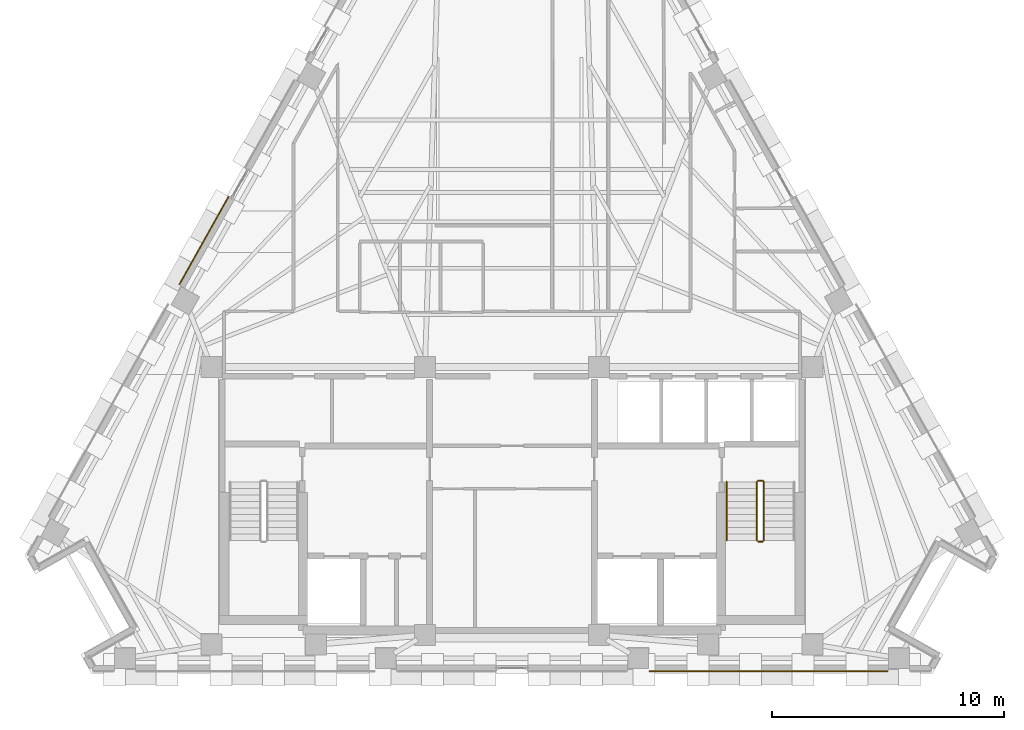
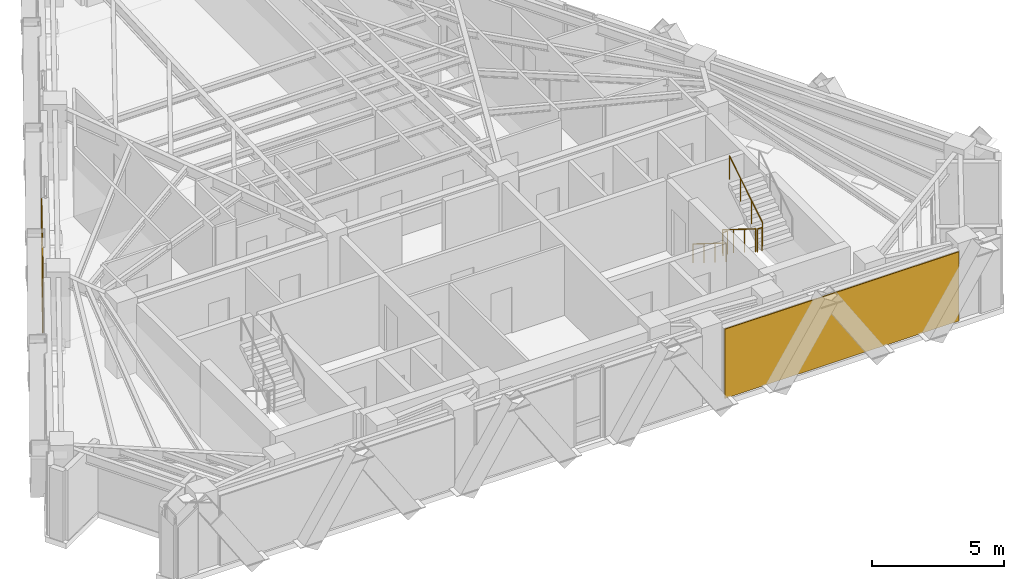
# One storey, part 11 of 13: 5 railings, 2 coverings.
"""IFC4 building model written with IfcOpenShell, lengths in metres."""

from ifc_helpers import new_model, si_unit, direction, frame, origin, origin_2d, place, context, subcontext, project, spatial, polyline, circle, outline, extrude, material, layer, layer_set, type_object, element, save


model = new_model("IFC4")

# Units and contexts
model_context = context("Model", 3, precision=1e-05, world=origin(), true_north=direction((0.0, 1.0)))
body_context = subcontext(model_context, "Body", "Model", "MODEL_VIEW")
ifc_project = project(units=[si_unit("LENGTHUNIT", "METRE"), si_unit("AREAUNIT", "SQUARE_METRE"), si_unit("VOLUMEUNIT", "CUBIC_METRE"), si_unit("PLANEANGLEUNIT", "RADIAN"), si_unit("MASSUNIT", "GRAM", prefix="KILO")], contexts=[model_context])

# Site, building, storey
site_placement = place(None, origin())
site = spatial("IfcSite", under=ifc_project, at=site_placement, CompositionType="ELEMENT")
building_placement = place(site_placement, origin())
building = spatial("IfcBuilding", under=site, at=building_placement, Name="Quenlor Broadcast Tower", CompositionType="ELEMENT")
storey_placement = place(building_placement, frame((0.0, 0.0, 207.89990234375)))
storey = spatial("IfcBuildingStorey", under=building, at=storey_placement, Name="L57", CompositionType="ELEMENT", Elevation=207.89990234375)

# Coverings
ifc_material_1 = material(Name="Architectural Terracotta Ceramic", Category="masonry")
ifc_layer = layer(ifc_material_1, 0.044921875)
ifc_layer_set = layer_set([ifc_layer], Name="Fluted Terracotta Rainscreen Cladding Panel")
covering_type = type_object("IfcCoveringType", Name="Fluted Terracotta Rainscreen Cladding Panel", PredefinedType="CLADDING", material=ifc_layer_set)
covering_1_placement = place(storey_placement, frame((0.0, 0.0, 0.02001953125)))
element("IfcCovering", 1, at=covering_1_placement, inside=storey, type_object=covering_type, Name="L57 Terracotta Rainscreen Cladding L57-EW-SA", PredefinedType="CLADDING", context=body_context, shape_type="SweptSolid", body=[
    extrude(outline(polyline([(16.19091796875, -17.89697265625), (5.9228515625, -17.89697265625), (5.9228515625, -17.94189453125), (16.19091796875, -17.94189453125), (16.19091796875, -17.89697265625)])), origin(), (0.0, 0.0, 1.0), 3.2099609375),
])
covering_2_placement = place(storey_placement, frame((0.0, 0.0, 0.02001953125)))
element("IfcCovering", 2, at=covering_2_placement, inside=storey, type_object=covering_type, Name="L57 Terracotta Rainscreen Cladding L57-NW-SP1", PredefinedType="CLADDING", context=body_context, shape_type="SweptSolid", body=[
    extrude(outline(polyline([(-14.30908203125, -1.248291015625), (-12.187255859375, 2.523681640625), (-12.2265625, 2.5458984375), (-14.34814453125, -1.226318359375), (-14.30908203125, -1.248291015625)])), origin(), (0.0, 0.0, 1.0), 3.2099609375),
])

# Railings
ifc_material_2 = material(Name="Anodised Aluminium", Category="aluminium")
railing_type_1 = type_object("IfcRailingType", Name="Stainless Aluminium Wall Handrail 900", PredefinedType="HANDRAIL", material=ifc_material_2)
railing_1_placement = place(storey_placement, frame((9.25, -9.75, 0.175048828125)))
element("IfcRailing", 3, at=railing_1_placement, inside=storey, type_object=railing_type_1, Name="L57 ST-2 stair handrail 1", PredefinedType="HANDRAIL", context=body_context, shape_type="SweptSolid", body=[
    extrude(circle(Radius=0.02392578125, at=origin_2d()), frame((0.0, 0.0, 0.8759765625), z_axis=(0.0, -0.848007534815, 0.529984170421), x_axis=(1.0, 0.0, 0.0)), (0.0, 0.0, 1.0), 2.9716796875),
    extrude(circle(Radius=0.02099609375, at=origin_2d()), origin(), (0.0, 0.0, 1.0), 0.851806640625),
    extrude(circle(Radius=0.02099609375, at=origin_2d()), frame((0.0, -0.840087890625, 0.52490234375)), (0.0, 0.0, 1.0), 0.851806640625),
    extrude(circle(Radius=0.02099609375, at=origin_2d()), frame((0.0, -1.679931640625, 1.050048828125)), (0.0, 0.0, 1.0), 0.851806640625),
    extrude(circle(Radius=0.02099609375, at=origin_2d()), frame((0.0, -2.52001953125, 1.574951171875)), (0.0, 0.0, 1.0), 0.851806640625),
])
ifc_material_3 = material(Name="Steel S355", Category="steel")
railing_type_2 = type_object("IfcRailingType", Name="Tubular Steel S355 Stair Guardrail 1100", PredefinedType="BALUSTRADE", material=ifc_material_3)
railing_2_placement = place(storey_placement, frame((10.550048828125, -9.75, 0.175048828125)))
element("IfcRailing", 4, at=railing_2_placement, inside=storey, type_object=railing_type_2, Name="L57 ST-2 stair guard 1", PredefinedType="BALUSTRADE", context=body_context, shape_type="SweptSolid", body=[
    extrude(circle(Radius=0.02392578125, at=origin_2d()), frame((0.0, 0.0, 1.076171875), z_axis=(0.0, -0.848007534815, 0.529984170421), x_axis=(1.0, 0.0, 0.0)), (0.0, 0.0, 1.0), 2.9716796875),
    extrude(circle(Radius=0.02099609375, at=origin_2d()), origin(), (0.0, 0.0, 1.0), 1.052001953125),
    extrude(circle(Radius=0.02099609375, at=origin_2d()), frame((0.0, -0.840087890625, 0.52490234375)), (0.0, 0.0, 1.0), 1.052001953125),
    extrude(circle(Radius=0.02099609375, at=origin_2d()), frame((0.0, -1.679931640625, 1.050048828125)), (0.0, 0.0, 1.0), 1.052001953125),
    extrude(circle(Radius=0.02099609375, at=origin_2d()), frame((0.0, -2.52001953125, 1.574951171875)), (0.0, 0.0, 1.0), 1.052001953125),
])
railing_3_placement = place(storey_placement, frame((10.60009765625, -12.320068359375, 1.75)))
element("IfcRailing", 5, at=railing_3_placement, inside=storey, type_object=railing_type_2, Name="L57 ST-2 stair guard 2", PredefinedType="BALUSTRADE", context=body_context, shape_type="SweptSolid", body=[
    extrude(circle(Radius=0.02392578125, at=origin_2d()), frame((0.0, 0.0, 1.076171875), z_axis=(1.0, 0.0, 0.0), x_axis=(0.0, 1.0, 0.0)), (0.0, 0.0, 1.0), 0.199951171875),
    extrude(circle(Radius=0.02099609375, at=origin_2d()), origin(), (0.0, 0.0, 1.0), 1.052001953125),
    extrude(circle(Radius=0.02099609375, at=origin_2d()), frame((0.199951171875, 0.0, 0.0)), (0.0, 0.0, 1.0), 1.052001953125),
])
railing_4_placement = place(storey_placement, frame((10.85009765625, -12.27001953125, 1.925048828125)))
element("IfcRailing", 6, at=railing_4_placement, inside=storey, type_object=railing_type_2, Name="L57 ST-2 stair guard 3", PredefinedType="BALUSTRADE", context=body_context, shape_type="SweptSolid", body=[
    extrude(circle(Radius=0.02392578125, at=origin_2d()), frame((0.0, 0.0, 1.076171875), z_axis=(0.0, 0.848007534815, 0.529984170421), x_axis=(-1.0, 0.0, 0.0)), (0.0, 0.0, 1.0), 2.9716796875),
    extrude(circle(Radius=0.02099609375, at=origin_2d()), origin(), (0.0, 0.0, 1.0), 1.052001953125),
    extrude(circle(Radius=0.02099609375, at=origin_2d()), frame((0.0, 0.840087890625, 0.52490234375)), (0.0, 0.0, 1.0), 1.052001953125),
    extrude(circle(Radius=0.02099609375, at=origin_2d()), frame((0.0, 1.679931640625, 1.050048828125)), (0.0, 0.0, 1.0), 1.052001953125),
    extrude(circle(Radius=0.02099609375, at=origin_2d()), frame((0.0, 2.52001953125, 1.574951171875)), (0.0, 0.0, 1.0), 1.052001953125),
])
railing_5_placement = place(storey_placement, frame((10.60009765625, -9.699951171875, 0.0)))
element("IfcRailing", 7, at=railing_5_placement, inside=storey, type_object=railing_type_2, Name="L57 ST-2 stair guard 4", PredefinedType="BALUSTRADE", context=body_context, shape_type="SweptSolid", body=[
    extrude(circle(Radius=0.02392578125, at=origin_2d()), frame((0.0, 0.0, 1.076171875), z_axis=(1.0, 0.0, 0.0), x_axis=(0.0, 1.0, 0.0)), (0.0, 0.0, 1.0), 0.199951171875),
    extrude(circle(Radius=0.02099609375, at=origin_2d()), origin(), (0.0, 0.0, 1.0), 1.052001953125),
    extrude(circle(Radius=0.02099609375, at=origin_2d()), frame((0.199951171875, 0.0, 0.0)), (0.0, 0.0, 1.0), 1.052001953125),
])

save(model, "model.ifc")
